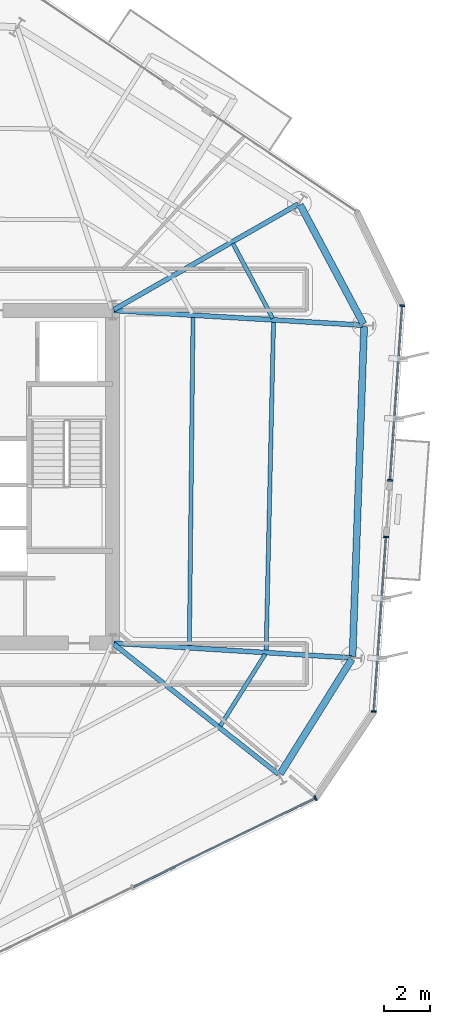
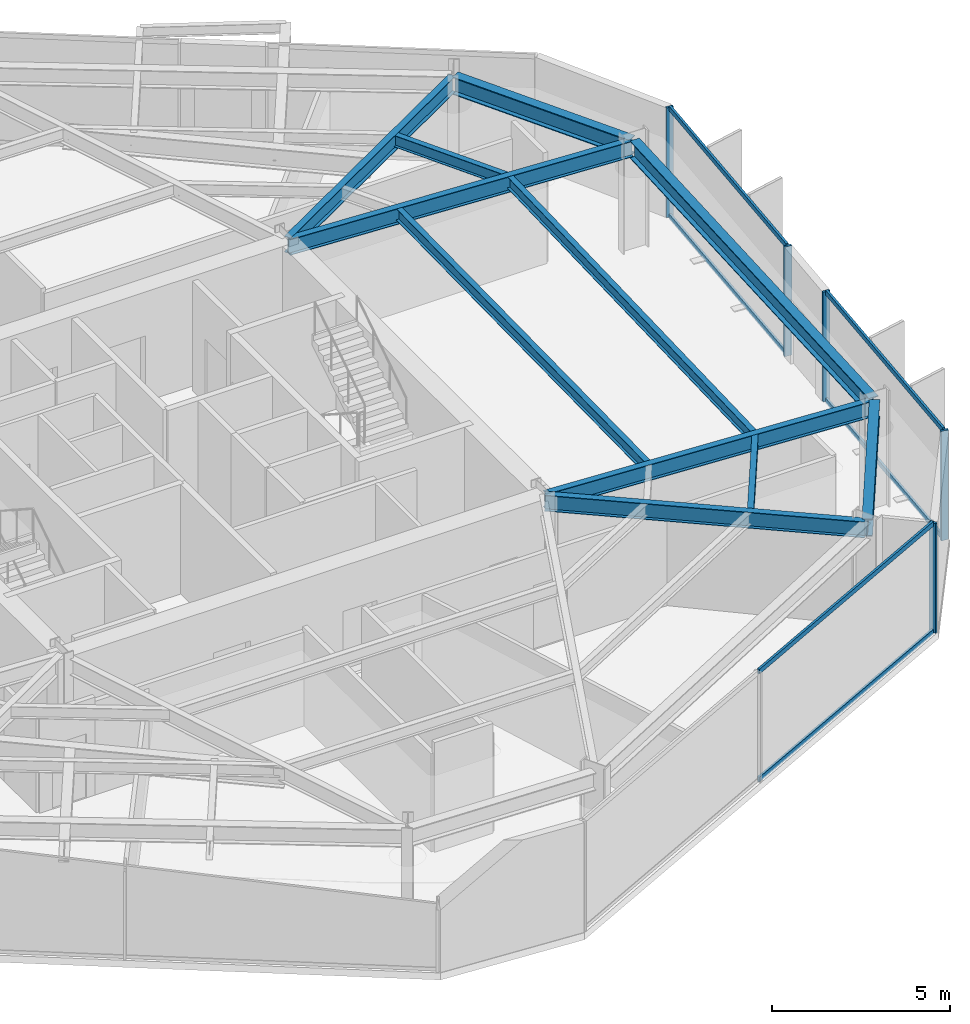
# One storey, part 4 of 14: 11 beams, 11 members, 3 elements without a shape of their own.
"""IFC4 building model written with IfcOpenShell, lengths in metres."""

from ifc_helpers import new_model, si_unit, direction, frame, origin, origin_2d, place, context, subcontext, project, spatial, rectangle, i_section, extrude, material, layer, layer_set, material_profile, profile_set, type_object, element, aggregate, save


model = new_model("IFC4")

# Units and contexts
model_context = context("Model", 3, precision=1e-05, world=origin(), true_north=direction((0.0, 1.0)))
body_context = subcontext(model_context, "Body", "Model", "MODEL_VIEW")
ifc_project = project(units=[si_unit("LENGTHUNIT", "METRE"), si_unit("AREAUNIT", "SQUARE_METRE"), si_unit("VOLUMEUNIT", "CUBIC_METRE"), si_unit("PLANEANGLEUNIT", "RADIAN"), si_unit("MASSUNIT", "GRAM", prefix="KILO")], contexts=[model_context])

# Site, building, storey
site_placement = place(None, origin())
site = spatial("IfcSite", under=ifc_project, at=site_placement, CompositionType="ELEMENT")
building_placement = place(site_placement, origin())
building = spatial("IfcBuilding", under=site, at=building_placement, Name="Kranzbogen Civic Tower", CompositionType="ELEMENT")
storey_placement = place(building_placement, frame((0.0, 0.0, 126.39990234375)))
storey = spatial("IfcBuildingStorey", under=building, at=storey_placement, Name="L30", CompositionType="ELEMENT", Elevation=126.39990234375)

# Curtain wall, member
ifc_material_1 = material(Name="Pale Anodised Aluminium", Category="aluminium")
ifc_layer = layer(ifc_material_1, 0.219970703125, Name="Pale Anodised Aluminium")
ifc_layer_set = layer_set([ifc_layer], Name="Pale Anodised Aluminium")
curtain_wall_type = type_object("IfcCurtainWallType", Name="Zone 2 Stick Curtain Wall System CW-03", PredefinedType="USERDEFINED", material=ifc_layer_set)
curtain_wall_1_placement = place(storey_placement, origin())
curtain_wall_1 = element("IfcCurtainWall", 1, at=curtain_wall_1_placement, inside=storey, type_object=curtain_wall_type, Name="L30 curtain wall CW-L30-F5", ObjectType="STICK CURTAIN WALL", PredefinedType="USERDEFINED")
ifc_material_profile_1 = material_profile(ifc_material_1, rectangle(XDim=0.074951171875, YDim=0.219970703125, at=origin_2d()), Name="ALU-M 75x220")
ifc_profile_set_1 = profile_set([ifc_material_profile_1], Name="Pale Anodised Aluminium")
member_type_1 = type_object("IfcMemberType", Name="Curtain Wall Mullion ALU-M 75x220", PredefinedType="MULLION", material=ifc_profile_set_1)
member_1_placement = place(storey_placement, frame((41.5810546875, 11.0888671875, 0.0), z_axis=(0.0, 0.0, 1.0), x_axis=(0.8987869382, 0.438385720252, 0.0)))
member_1 = element("IfcMember", 2, at=member_1_placement, type_object=member_type_1, Name="CW-03 mullion 3", PredefinedType="MULLION", context=body_context, shape_type="SweptSolid", body=[
    extrude(rectangle(XDim=0.074951171875, YDim=0.219970703125, at=origin_2d()), origin(), (0.0, 0.0, 1.0), 3.760009765625),
])

# Curtain wall, members
curtain_wall_2_placement = place(storey_placement, origin())
curtain_wall_2 = element("IfcCurtainWall", 3, at=curtain_wall_2_placement, inside=storey, type_object=curtain_wall_type, Name="L30 curtain wall CW-L30-F6-S1", ObjectType="STICK CURTAIN WALL", PredefinedType="USERDEFINED")
member_2_placement = place(storey_placement, frame((44.109130859375, 14.837890625, 0.0), z_axis=(0.0, 0.0, 1.0), x_axis=(0.069813486474, 0.997560061904, 0.0)))
member_2 = element("IfcMember", 4, at=member_2_placement, type_object=member_type_1, Name="CW-03 mullion 1", PredefinedType="MULLION", context=body_context, shape_type="SweptSolid", body=[
    extrude(rectangle(XDim=0.074951171875, YDim=0.219970703125, at=origin_2d()), origin(), (0.0, 0.0, 1.0), 3.760009765625),
])
member_3_placement = place(storey_placement, frame((44.637939453125, 22.39404296875, 0.0), z_axis=(0.0, 0.0, 1.0), x_axis=(0.069813486474, 0.997560061904, 0.0)))
member_3 = element("IfcMember", 5, at=member_3_placement, type_object=member_type_1, Name="CW-03 mullion 2", PredefinedType="MULLION", context=body_context, shape_type="SweptSolid", body=[
    extrude(rectangle(XDim=0.074951171875, YDim=0.219970703125, at=origin_2d()), origin(), (0.0, 0.0, 1.0), 3.760009765625),
])

curtain_wall_3_placement = place(storey_placement, origin())
curtain_wall_3 = element("IfcCurtainWall", 6, at=curtain_wall_3_placement, inside=storey, type_object=curtain_wall_type, Name="L30 curtain wall CW-L30-F6-S2", ObjectType="STICK CURTAIN WALL", PredefinedType="USERDEFINED")
member_4_placement = place(storey_placement, frame((44.81005859375, 24.847900390625, 0.0), z_axis=(0.0, 0.0, 1.0), x_axis=(0.069822609681, 0.997559423382, 0.0)))
member_4 = element("IfcMember", 7, at=member_4_placement, type_object=member_type_1, Name="CW-03 mullion 1", PredefinedType="MULLION", context=body_context, shape_type="SweptSolid", body=[
    extrude(rectangle(XDim=0.074951171875, YDim=0.219970703125, at=origin_2d()), origin(), (0.0, 0.0, 1.0), 3.760009765625),
])
member_5_placement = place(storey_placement, frame((45.3388671875, 32.403076171875, 0.0), z_axis=(0.0, 0.0, 1.0), x_axis=(0.069822609681, 0.997559423382, 0.0)))
member_5 = element("IfcMember", 8, at=member_5_placement, type_object=member_type_1, Name="CW-03 mullion 2", PredefinedType="MULLION", context=body_context, shape_type="SweptSolid", body=[
    extrude(rectangle(XDim=0.074951171875, YDim=0.219970703125, at=origin_2d()), origin(), (0.0, 0.0, 1.0), 3.760009765625),
])

# Member
ifc_material_profile_2 = material_profile(ifc_material_1, rectangle(XDim=0.074951171875, YDim=0.1650390625, at=origin_2d()), Name="ALU-T 75x165")
ifc_profile_set_2 = profile_set([ifc_material_profile_2], Name="Pale Anodised Aluminium")
member_type_2 = type_object("IfcMemberType", Name="Curtain Wall Transom ALU-T 75x165", PredefinedType="USERDEFINED", material=ifc_profile_set_2)
member_6_placement = place(storey_placement, frame((33.694580078125, 7.2421875, 0.030029296875), z_axis=(0.898784008077, 0.438391727597, 0.0), x_axis=(-0.438391727597, 0.898784008077, 0.0)))
member_6 = element("IfcMember", 9, at=member_6_placement, type_object=member_type_2, Name="CW-03 transom 2.1", ObjectType="TRANSOM", PredefinedType="USERDEFINED", context=body_context, shape_type="SweptSolid", body=[
    extrude(rectangle(XDim=0.074951171875, YDim=0.1650390625, at=origin_2d()), origin(), (0.0, 0.0, 1.0), 8.744384765625),
])

member_7_placement = place(storey_placement, frame((33.694580078125, 7.2421875, 3.72998046875), z_axis=(0.898784008077, 0.438391727597, 0.0), x_axis=(-0.438391727597, 0.898784008077, 0.0)))
member_7 = element("IfcMember", 10, at=member_7_placement, type_object=member_type_2, Name="CW-03 transom 2.2", ObjectType="TRANSOM", PredefinedType="USERDEFINED", context=body_context, shape_type="SweptSolid", body=[
    extrude(rectangle(XDim=0.074951171875, YDim=0.1650390625, at=origin_2d()), origin(), (0.0, 0.0, 1.0), 8.744384765625),
])

aggregate(curtain_wall_1, [member_1, member_6, member_7])

member_8_placement = place(storey_placement, frame((44.111083984375, 14.867919921875, 0.030029296875), z_axis=(0.069817812162, 0.997559759165, 0.0), x_axis=(-0.997559759165, 0.069817812162, 0.0)))
member_8 = element("IfcMember", 11, at=member_8_placement, type_object=member_type_2, Name="CW-03 transom 1.1", ObjectType="TRANSOM", PredefinedType="USERDEFINED", context=body_context, shape_type="SweptSolid", body=[
    extrude(rectangle(XDim=0.074951171875, YDim=0.1650390625, at=origin_2d()), origin(), (0.0, 0.0, 1.0), 7.5146484375),
])

member_9_placement = place(storey_placement, frame((44.111083984375, 14.867919921875, 3.72998046875), z_axis=(0.069817812162, 0.997559759165, 0.0), x_axis=(-0.997559759165, 0.069817812162, 0.0)))
member_9 = element("IfcMember", 12, at=member_9_placement, type_object=member_type_2, Name="CW-03 transom 1.2", ObjectType="TRANSOM", PredefinedType="USERDEFINED", context=body_context, shape_type="SweptSolid", body=[
    extrude(rectangle(XDim=0.074951171875, YDim=0.1650390625, at=origin_2d()), origin(), (0.0, 0.0, 1.0), 7.5146484375),
])

aggregate(curtain_wall_2, [member_2, member_3, member_8, member_9])

member_10_placement = place(storey_placement, frame((44.812255859375, 24.8779296875, 0.030029296875), z_axis=(0.0698291277, 0.997558967142, 0.0), x_axis=(-0.997558967142, 0.0698291277, 0.0)))
member_10 = element("IfcMember", 13, at=member_10_placement, type_object=member_type_2, Name="CW-03 transom 1.1", ObjectType="TRANSOM", PredefinedType="USERDEFINED", context=body_context, shape_type="SweptSolid", body=[
    extrude(rectangle(XDim=0.074951171875, YDim=0.1650390625, at=origin_2d()), origin(), (0.0, 0.0, 1.0), 7.513427734375),
])

member_11_placement = place(storey_placement, frame((44.812255859375, 24.8779296875, 3.72998046875), z_axis=(0.0698291277, 0.997558967142, 0.0), x_axis=(-0.997558967142, 0.0698291277, 0.0)))
member_11 = element("IfcMember", 14, at=member_11_placement, type_object=member_type_2, Name="CW-03 transom 1.2", ObjectType="TRANSOM", PredefinedType="USERDEFINED", context=body_context, shape_type="SweptSolid", body=[
    extrude(rectangle(XDim=0.074951171875, YDim=0.1650390625, at=origin_2d()), origin(), (0.0, 0.0, 1.0), 7.513427734375),
])

aggregate(curtain_wall_3, [member_4, member_5, member_10, member_11])

# Beams
ifc_material_2 = material(Name="Steel S355", Category="steel")
ifc_material_profile_3 = material_profile(ifc_material_2, i_section(OverallWidth=0.300048828125, OverallDepth=0.60009765625, WebThickness=0.015380859375, FlangeThickness=0.030029296875, at=origin_2d()), Name="HEB 600")
ifc_profile_set_3 = profile_set([ifc_material_profile_3], Name="Steel S355")
beam_type_1 = type_object("IfcBeamType", Name="Perimeter Tube Spandrel Beam HEB 600", PredefinedType="SPANDREL", material=ifc_profile_set_3)
beam_1_placement = place(storey_placement, frame((40.054931640625, 12.14306640625, 3.460205078125), z_axis=(0.529863902903, 0.848082687242, 0.0), x_axis=(-0.848082687242, 0.529863902903, 0.0)))
element("IfcBeam", 15, at=beam_1_placement, inside=storey, type_object=beam_type_1, Name="L30 perimeter spandrel beam 05", PredefinedType="SPANDREL", context=body_context, shape_type="SweptSolid", body=[
    extrude(i_section(OverallWidth=0.300048828125, OverallDepth=0.60009765625, WebThickness=0.015380859375, FlangeThickness=0.030029296875, at=origin_2d()), origin(), (0.0, 0.0, 1.0), 5.850830078125),
])
beam_2_placement = place(storey_placement, frame((43.18896484375, 17.216064453125, 3.460205078125), z_axis=(0.034924229103, 0.999389963038, 0.0), x_axis=(-0.999389963038, 0.034924229103, 0.0)))
element("IfcBeam", 16, at=beam_2_placement, inside=storey, type_object=beam_type_1, Name="L30 perimeter spandrel beam 06", PredefinedType="SPANDREL", context=body_context, shape_type="SweptSolid", body=[
    extrude(i_section(OverallWidth=0.300048828125, OverallDepth=0.60009765625, WebThickness=0.015380859375, FlangeThickness=0.030029296875, at=origin_2d()), origin(), (0.0, 0.0, 1.0), 14.288818359375),
])
beam_3_placement = place(storey_placement, frame((43.662109375, 31.60888671875, 3.460205078125), z_axis=(-0.469565926668, 0.882897412224, 0.0), x_axis=(-0.882897412224, -0.469565926668, 0.0)))
element("IfcBeam", 17, at=beam_3_placement, inside=storey, type_object=beam_type_1, Name="L30 perimeter spandrel beam 07", PredefinedType="SPANDREL", context=body_context, shape_type="SweptSolid", body=[
    extrude(i_section(OverallWidth=0.300048828125, OverallDepth=0.60009765625, WebThickness=0.015380859375, FlangeThickness=0.030029296875, at=origin_2d()), origin(), (0.0, 0.0, 1.0), 5.852294921875),
])
ifc_material_profile_4 = material_profile(ifc_material_2, i_section(OverallWidth=0.2099609375, OverallDepth=0.550048828125, WebThickness=0.010986328125, FlangeThickness=0.01708984375, at=origin_2d()), Name="IPE 550")
ifc_profile_set_4 = profile_set([ifc_material_profile_4], Name="Steel S355")
beam_type_2 = type_object("IfcBeamType", Name="Radial Tower Floor Girder IPE 550", PredefinedType="BEAM", material=ifc_profile_set_4)
beam_4_placement = place(storey_placement, frame((39.97607421875, 12.12890625, 3.485107421875), z_axis=(-0.78457455683, 0.620034486763, 0.0), x_axis=(-0.620034486763, -0.78457455683, 0.0)))
element("IfcBeam", 18, at=beam_4_placement, inside=storey, type_object=beam_type_2, Name="L30 radial floor girder 05", PredefinedType="BEAM", context=body_context, shape_type="SweptSolid", body=[
    extrude(i_section(OverallWidth=0.2099609375, OverallDepth=0.550048828125, WebThickness=0.010986328125, FlangeThickness=0.01708984375, at=origin_2d()), origin(), (0.0, 0.0, 1.0), 9.086669921875),
])
beam_5_placement = place(storey_placement, frame((43.126953125, 17.159912109375, 3.485107421875), z_axis=(-0.998086872961, 0.061827130147, 0.0), x_axis=(-0.061827130147, -0.998086872961, 0.0)))
element("IfcBeam", 19, at=beam_5_placement, inside=storey, type_object=beam_type_2, Name="L30 radial floor girder 06", PredefinedType="BEAM", context=body_context, shape_type="SweptSolid", body=[
    extrude(i_section(OverallWidth=0.2099609375, OverallDepth=0.550048828125, WebThickness=0.010986328125, FlangeThickness=0.01708984375, at=origin_2d()), origin(), (0.0, 0.0, 1.0), 10.28662109375),
])
beam_6_placement = place(storey_placement, frame((43.6298828125, 31.56005859375, 3.485107421875), z_axis=(-0.998260925387, 0.058950189528, 0.0), x_axis=(-0.058950189528, -0.998260925387, 0.0)))
element("IfcBeam", 20, at=beam_6_placement, inside=storey, type_object=beam_type_2, Name="L30 radial floor girder 07", PredefinedType="BEAM", context=body_context, shape_type="SweptSolid", body=[
    extrude(i_section(OverallWidth=0.2099609375, OverallDepth=0.550048828125, WebThickness=0.010986328125, FlangeThickness=0.01708984375, at=origin_2d()), origin(), (0.0, 0.0, 1.0), 10.78857421875),
])
beam_7_placement = place(storey_placement, frame((40.833984375, 36.799072265625, 3.485107421875), z_axis=(-0.867868812182, -0.496793442833, 0.0), x_axis=(0.496793442833, -0.867868812182, 0.0)))
element("IfcBeam", 21, at=beam_7_placement, inside=storey, type_object=beam_type_2, Name="L30 radial floor girder 08", PredefinedType="BEAM", context=body_context, shape_type="SweptSolid", body=[
    extrude(i_section(OverallWidth=0.2099609375, OverallDepth=0.550048828125, WebThickness=0.010986328125, FlangeThickness=0.01708984375, at=origin_2d()), origin(), (0.0, 0.0, 1.0), 9.197265625),
])
ifc_material_profile_5 = material_profile(ifc_material_2, i_section(OverallWidth=0.179931640625, OverallDepth=0.39990234375, WebThickness=0.008544921875, FlangeThickness=0.013427734375, at=origin_2d()), Name="IPE 400")
ifc_profile_set_5 = profile_set([ifc_material_profile_5], Name="Steel S355")
beam_type_3 = type_object("IfcBeamType", Name="Secondary Composite Floor Joist IPE 400", PredefinedType="JOIST", material=ifc_profile_set_5)
beam_8_placement = place(storey_placement, frame((37.465087890625, 14.215087890625, 3.56005859375), z_axis=(0.529867065107, 0.848080711557, 0.0), x_axis=(-0.848080711557, 0.529867065107, 0.0)))
element("IfcBeam", 22, at=beam_8_placement, inside=storey, type_object=beam_type_3, Name="L30 secondary floor joist 1.05", PredefinedType="JOIST", context=body_context, shape_type="SweptSolid", body=[
    extrude(i_section(OverallWidth=0.179931640625, OverallDepth=0.39990234375, WebThickness=0.008544921875, FlangeThickness=0.013427734375, at=origin_2d()), origin(), (0.0, 0.0, 1.0), 3.6611328125),
])
beam_9_placement = place(storey_placement, frame((39.448974609375, 17.468017578125, 3.56005859375), z_axis=(0.022402523442, 0.999749031979, 0.0), x_axis=(-0.999749031979, 0.022402523442, 0.0)))
element("IfcBeam", 23, at=beam_9_placement, inside=storey, type_object=beam_type_3, Name="L30 secondary floor joist 1.06", PredefinedType="JOIST", context=body_context, shape_type="SweptSolid", body=[
    extrude(i_section(OverallWidth=0.179931640625, OverallDepth=0.39990234375, WebThickness=0.008544921875, FlangeThickness=0.013427734375, at=origin_2d()), origin(), (0.0, 0.0, 1.0), 14.24365234375),
])
beam_10_placement = place(storey_placement, frame((36.125, 17.674072265625, 3.56005859375), z_axis=(0.011160516663, 0.999937719494, 0.0), x_axis=(-0.999937719494, 0.011160516663, 0.0)))
element("IfcBeam", 24, at=beam_10_placement, inside=storey, type_object=beam_type_3, Name="L30 secondary floor joist 2.06", PredefinedType="JOIST", context=body_context, shape_type="SweptSolid", body=[
    extrude(i_section(OverallWidth=0.179931640625, OverallDepth=0.39990234375, WebThickness=0.008544921875, FlangeThickness=0.013427734375, at=origin_2d()), origin(), (0.0, 0.0, 1.0), 14.240966796875),
])
beam_11_placement = place(storey_placement, frame((39.73193359375, 31.85791015625, 3.56005859375), z_axis=(-0.469338791783, 0.88301817565, 0.0), x_axis=(-0.88301817565, -0.469338791783, 0.0)))
element("IfcBeam", 25, at=beam_11_placement, inside=storey, type_object=beam_type_3, Name="L30 secondary floor joist 1.07", PredefinedType="JOIST", context=body_context, shape_type="SweptSolid", body=[
    extrude(i_section(OverallWidth=0.179931640625, OverallDepth=0.39990234375, WebThickness=0.008544921875, FlangeThickness=0.013427734375, at=origin_2d()), origin(), (0.0, 0.0, 1.0), 3.66259765625),
])

save(model, "model.ifc")
